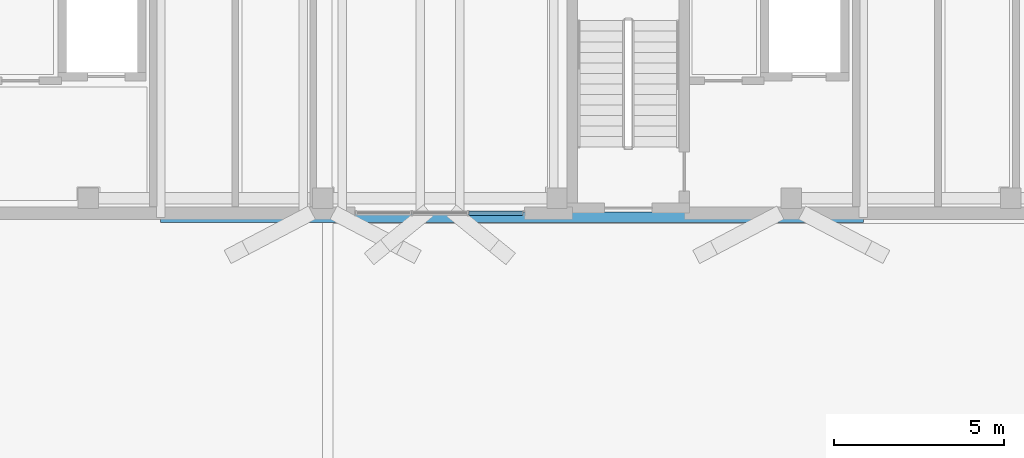
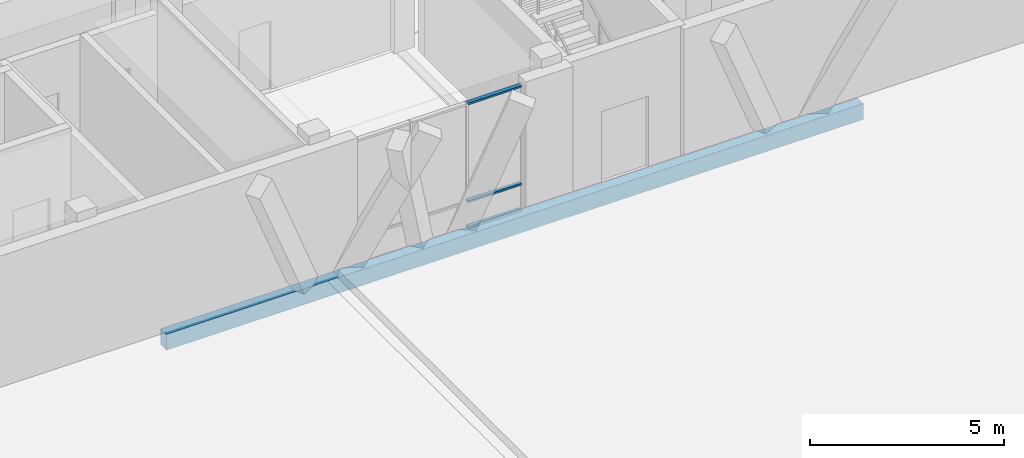
# One storey, part 102 of 233: 3 members, 1 beam, 1 element without a shape of its own.
"""IFC4 building model written with IfcOpenShell, lengths in metres."""

from ifc_helpers import new_model, si_unit, direction, frame, origin, origin_2d, place, context, subcontext, project, spatial, rectangle, hollow_rectangle, extrude, material, material_profile, profile_set, type_object, element, aggregate, save


model = new_model("IFC4")

# Units and contexts
model_context = context("Model", 3, precision=1e-05, world=origin(), true_north=direction((0.0, 1.0)))
body_context = subcontext(model_context, "Body", "Model", "MODEL_VIEW")
ifc_project = project(units=[si_unit("LENGTHUNIT", "METRE"), si_unit("AREAUNIT", "SQUARE_METRE"), si_unit("VOLUMEUNIT", "CUBIC_METRE"), si_unit("PLANEANGLEUNIT", "RADIAN"), si_unit("MASSUNIT", "GRAM", prefix="KILO")], contexts=[model_context])

# Site, building, storey
site_placement = place(None, origin())
site = spatial("IfcSite", under=ifc_project, at=site_placement, CompositionType="ELEMENT")
building_placement = place(site_placement, origin())
building = spatial("IfcBuilding", under=site, at=building_placement, Name="Zavelmont Quarter", CompositionType="ELEMENT")
storey_placement = place(building_placement, origin())
storey = spatial("IfcBuildingStorey", under=building, at=storey_placement, Name="L00", CompositionType="ELEMENT", Elevation=0.0)

# Beam
ifc_material_1 = material(Name="Concrete C35/45", Category="concrete")
ifc_material_profile_1 = material_profile(ifc_material_1, rectangle(XDim=0.300048828125, YDim=0.5, at=origin_2d()), Name="RC300X500")
ifc_profile_set_1 = profile_set([ifc_material_profile_1], Name="Concrete C35/45")
beam_type = type_object("IfcBeamType", Name="BM03", PredefinedType="BEAM", material=ifc_profile_set_1)
beam_placement = place(storey_placement, frame((15.925048828125, 97.47998046875, -0.25), z_axis=(1.0, 0.0, 0.0), x_axis=(0.0, 1.0, 0.0)))
element("IfcBeam", 1, at=beam_placement, inside=storey, type_object=beam_type, Name="L00 beam BM03 3/P to 6/P", PredefinedType="BEAM", context=body_context, shape_type="SweptSolid", body=[
    extrude(rectangle(XDim=0.300048828125, YDim=0.5, at=origin_2d()), origin(), (0.0, 0.0, 1.0), 20.699951171875),
])

# Curtain wall, members
ifc_material_2 = material(Name="Thermally broken aluminium and double low-E safety glazing", Category="aluminium")
curtain_wall_type = type_object("IfcCurtainWallType", Name="CW-500X395", PredefinedType="NOTDEFINED", material=ifc_material_2)
curtain_wall_placement = place(storey_placement, origin())
curtain_wall = element("IfcCurtainWall", 2, at=curtain_wall_placement, inside=storey, type_object=curtain_wall_type, Name="L00 unitised curtain wall CW-500X395", PredefinedType="NOTDEFINED")
ifc_material_3 = material(Name="Powder-coated aluminium EN AW-6063-T6", Category="aluminium")
ifc_material_profile_2 = material_profile(ifc_material_3, hollow_rectangle(XDim=0.1201171875, YDim=0.06005859375, WallThickness=0.00390625, at=origin_2d()), Name="CWT60X120")
ifc_profile_set_2 = profile_set([ifc_material_profile_2], Name="Powder-coated aluminium EN AW-6063-T6")
member_type = type_object("IfcMemberType", Name="CWT01", PredefinedType="NOTDEFINED", material=ifc_profile_set_2)
member_1_placement = place(storey_placement, frame((25.013427734375, 97.60009765625, 0.030029296875), z_axis=(1.0, 0.0, 0.0), x_axis=(0.0, 1.0, 0.0)))
member_1 = element("IfcMember", 3, at=member_1_placement, type_object=member_type, Name="CW-500X395 transom 3.1", ObjectType="TRANSOM", PredefinedType="USERDEFINED", context=body_context, shape_type="SweptSolid", body=[
    extrude(hollow_rectangle(XDim=0.1201171875, YDim=0.06005859375, WallThickness=0.00390625, at=origin_2d()), origin(), (0.0, 0.0, 1.0), 1.57666015625),
])
member_2_placement = place(storey_placement, frame((25.013427734375, 97.60009765625, 0.85009765625), z_axis=(1.0, 0.0, 0.0), x_axis=(0.0, 1.0, 0.0)))
member_2 = element("IfcMember", 4, at=member_2_placement, type_object=member_type, Name="CW-500X395 transom 3.2", ObjectType="TRANSOM", PredefinedType="USERDEFINED", context=body_context, shape_type="SweptSolid", body=[
    extrude(hollow_rectangle(XDim=0.1201171875, YDim=0.06005859375, WallThickness=0.00390625, at=origin_2d()), origin(), (0.0, 0.0, 1.0), 1.57666015625),
])
member_3_placement = place(storey_placement, frame((25.013427734375, 97.60009765625, 3.919921875), z_axis=(1.0, 0.0, 0.0), x_axis=(0.0, 1.0, 0.0)))
member_3 = element("IfcMember", 5, at=member_3_placement, type_object=member_type, Name="CW-500X395 transom 3.3", ObjectType="TRANSOM", PredefinedType="USERDEFINED", context=body_context, shape_type="SweptSolid", body=[
    extrude(hollow_rectangle(XDim=0.1201171875, YDim=0.06005859375, WallThickness=0.00390625, at=origin_2d()), origin(), (0.0, 0.0, 1.0), 1.57666015625),
])
aggregate(curtain_wall, [member_1, member_2, member_3])

save(model, "model.ifc")
